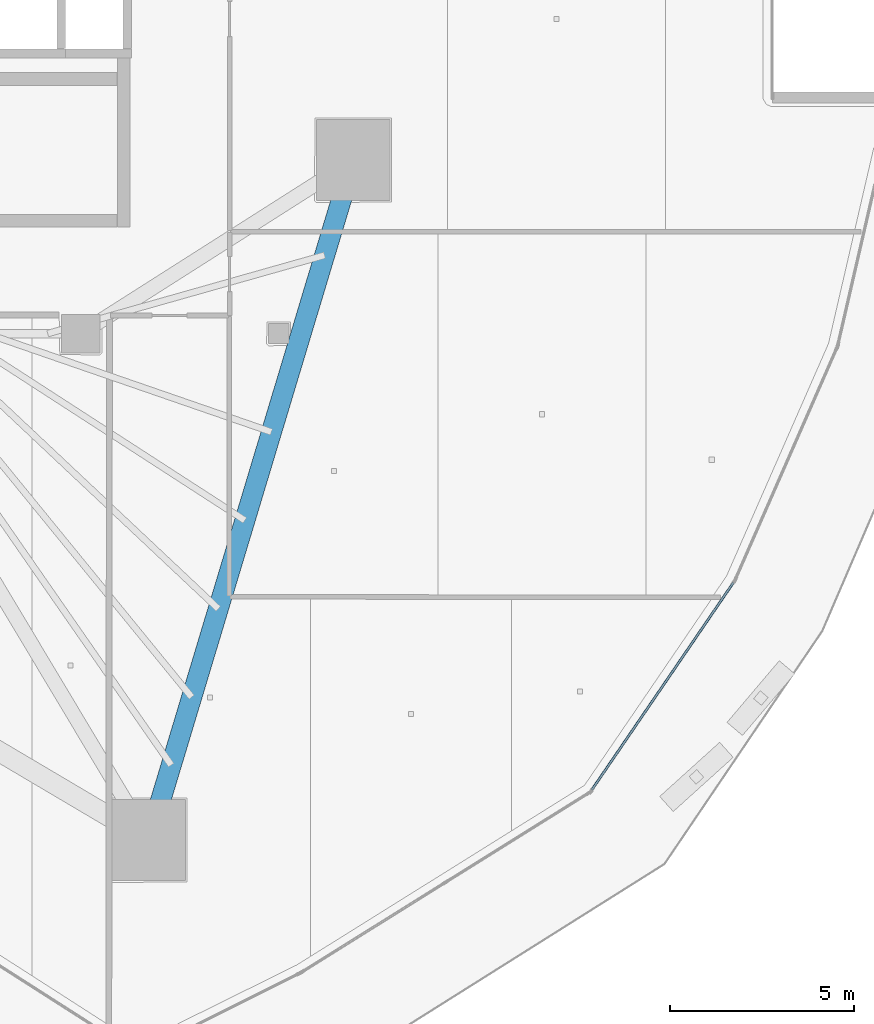
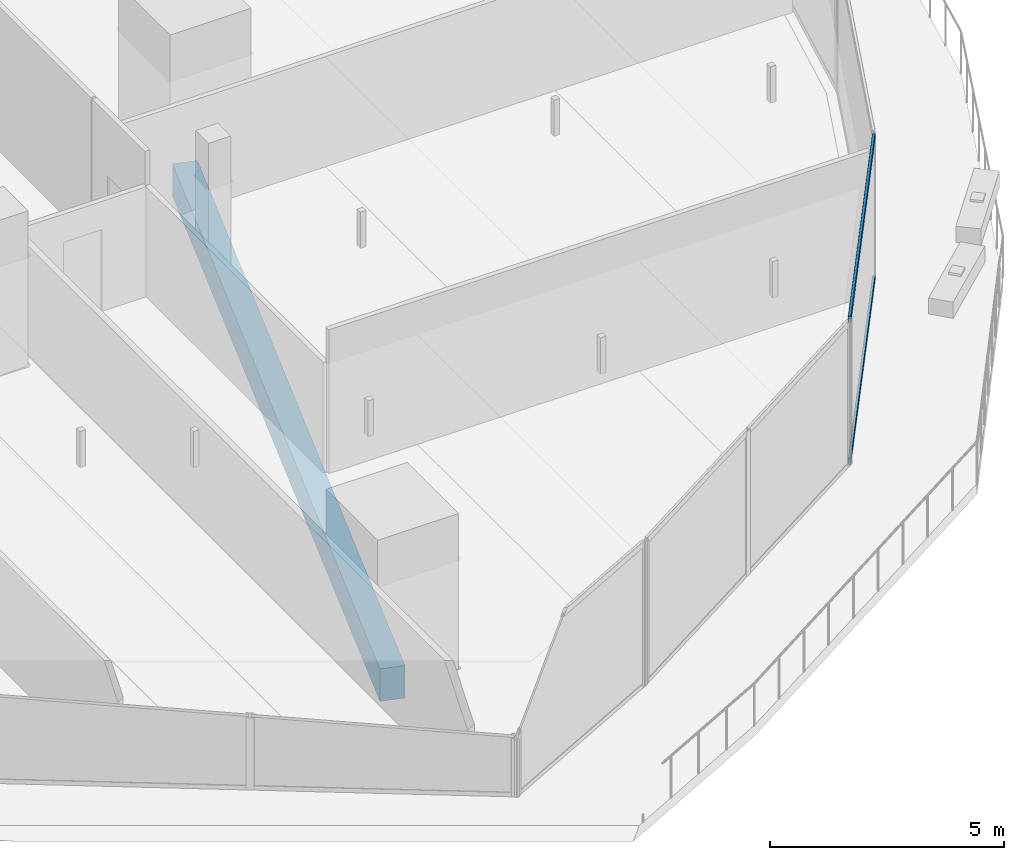
# One storey, part 10 of 45: 2 members, 1 beam, 1 element without a shape of its own.
"""IFC4 building model written with IfcOpenShell, lengths in metres."""

from ifc_helpers import new_model, si_unit, direction, frame, origin, origin_2d, place, context, subcontext, project, spatial, rectangle, hollow_rectangle, extrude, material, layer, layer_set, material_profile, profile_set, type_object, element, aggregate, save


model = new_model("IFC4")

# Units and contexts
model_context = context("Model", 3, precision=1e-05, world=origin(), true_north=direction((0.0, 1.0)))
body_context = subcontext(model_context, "Body", "Model", "MODEL_VIEW")
ifc_project = project(units=[si_unit("LENGTHUNIT", "METRE"), si_unit("AREAUNIT", "SQUARE_METRE"), si_unit("VOLUMEUNIT", "CUBIC_METRE"), si_unit("PLANEANGLEUNIT", "RADIAN"), si_unit("MASSUNIT", "GRAM", prefix="KILO")], contexts=[model_context])

# Site, building, storey
site_placement = place(None, origin())
site = spatial("IfcSite", under=ifc_project, at=site_placement, CompositionType="ELEMENT")
building_placement = place(site_placement, origin())
building = spatial("IfcBuilding", under=site, at=building_placement, Name="Qorvath Tower", CompositionType="ELEMENT")
storey_placement = place(building_placement, frame((0.0, 0.0, 109.800048828125)))
storey = spatial("IfcBuildingStorey", under=building, at=storey_placement, Name="L24", CompositionType="ELEMENT", Elevation=109.800048828125)

# Beam
ifc_material_1 = material(Name="Concrete C50/60", Category="concrete")
ifc_material_profile_1 = material_profile(ifc_material_1, rectangle(XDim=0.550048828125, YDim=0.85009765625, at=origin_2d()), Name="RCB 850x550")
ifc_profile_set_1 = profile_set([ifc_material_profile_1], Name="Concrete C50/60")
beam_type = type_object("IfcBeamType", Name="BM-RCB2", PredefinedType="SPANDREL", material=ifc_profile_set_1)
beam_placement = place(storey_placement, frame((-15.34423828125, -25.24609375, -0.705078125), z_axis=(0.288133952099, 0.957590113591, 0.0), x_axis=(-0.957590113591, 0.288133952099, 0.0)))
element("IfcBeam", 1, at=beam_placement, inside=storey, type_object=beam_type, Name="Perimeter Loggia Frame Beam MC3-MC4 L24", PredefinedType="SPANDREL", context=body_context, shape_type="SweptSolid", body=[
    extrude(rectangle(XDim=0.550048828125, YDim=0.85009765625, at=origin_2d()), origin(), (0.0, 0.0, 1.0), 19.344970703125),
])

# Curtain wall, members
ifc_material_2 = material(Name="Anodised aluminium and triple low-E glass", Category="aluminium")
ifc_layer = layer(ifc_material_2, 0.179931640625)
ifc_layer_set = layer_set([ifc_layer], Name="CW-SYS-2")
curtain_wall_type = type_object("IfcCurtainWallType", Name="CW-SYS-2", PredefinedType="NOTDEFINED", material=ifc_layer_set)
curtain_wall_placement = place(storey_placement, origin())
curtain_wall = element("IfcCurtainWall", 2, at=curtain_wall_placement, inside=storey, type_object=curtain_wall_type, Name="Curtain Wall CW-2 CW-T-L24-5.1", PredefinedType="NOTDEFINED")
ifc_material_3 = material(Name="Anodised aluminium 6063-T6", Category="aluminium")
ifc_material_profile_2 = material_profile(ifc_material_3, hollow_rectangle(XDim=0.06494140625, YDim=0.159912109375, WallThickness=0.00341796875, InnerFilletRadius=0.00341796875, OuterFilletRadius=0.007080078125, at=origin_2d()), Name="CWT 160x65")
ifc_profile_set_2 = profile_set([ifc_material_profile_2], Name="Anodised aluminium 6063-T6")
member_type = type_object("IfcMemberType", Name="CWT-160", PredefinedType="USERDEFINED", material=ifc_profile_set_2)
member_1_placement = place(storey_placement, frame((-3.271728515625, -23.88037109375, 0.032470703125), z_axis=(0.564139796164, 0.825679290272, 0.0), x_axis=(-0.825679290272, 0.564139796164, 0.0)))
member_1 = element("IfcMember", 3, at=member_1_placement, type_object=member_type, Name="CW-2 transom 1.1", ObjectType="TRANSOM", PredefinedType="USERDEFINED", context=body_context, shape_type="SweptSolid", body=[
    extrude(hollow_rectangle(XDim=0.06494140625, YDim=0.159912109375, WallThickness=0.00341796875, InnerFilletRadius=0.00341796875, OuterFilletRadius=0.007080078125, at=origin_2d()), origin(), (0.0, 0.0, 1.0), 6.837646484375),
])
member_2_placement = place(storey_placement, frame((-3.271728515625, -23.88037109375, 3.737548828125), z_axis=(0.564139796164, 0.825679290272, 0.0), x_axis=(-0.825679290272, 0.564139796164, 0.0)))
member_2 = element("IfcMember", 4, at=member_2_placement, type_object=member_type, Name="CW-2 transom 1.2", ObjectType="TRANSOM", PredefinedType="USERDEFINED", context=body_context, shape_type="SweptSolid", body=[
    extrude(hollow_rectangle(XDim=0.06494140625, YDim=0.159912109375, WallThickness=0.00341796875, InnerFilletRadius=0.00341796875, OuterFilletRadius=0.007080078125, at=origin_2d()), origin(), (0.0, 0.0, 1.0), 6.837646484375),
])
aggregate(curtain_wall, [member_1, member_2])

save(model, "model.ifc")
